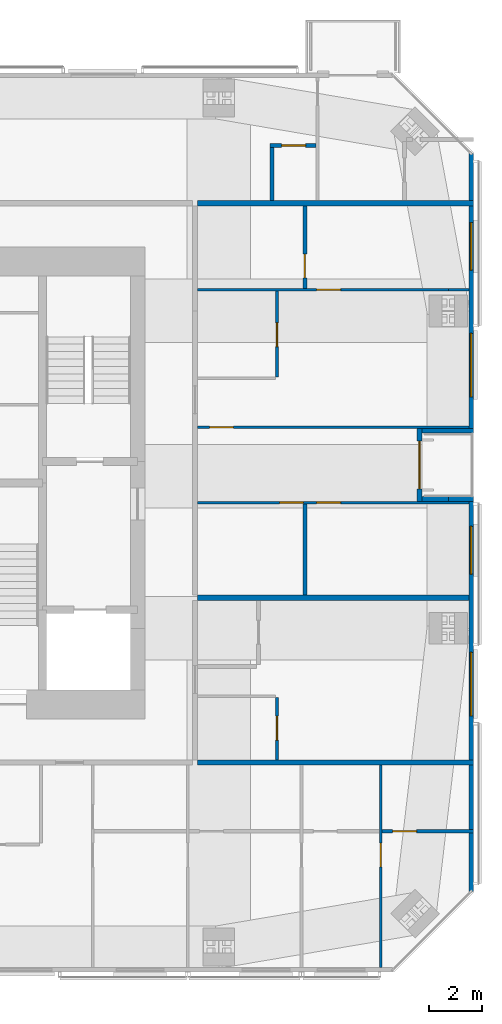
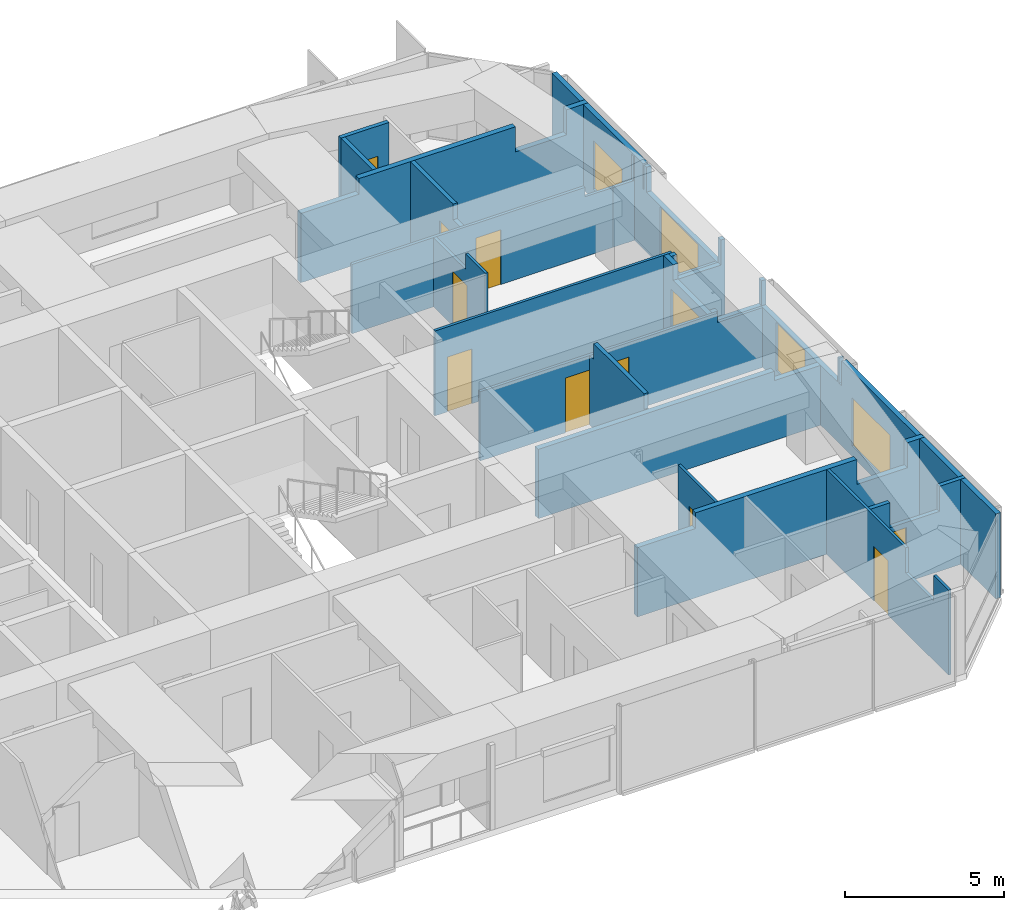
# One storey, part 18 of 20: 21 walls, 11 doors, 4 windows, 15 openings.
"""IFC4 building model written with IfcOpenShell, lengths in metres."""

import ifcopenshell
import ifcopenshell.guid

model = None  # the IFC model being written
_history = None  # IfcOwnerHistory: only IFC2X3 demands one
_inside = {}  # id of a spatial element -> (the spatial element, [elements in it])
_under = {}  # id of a project, library or spatial element -> (it, [spatial elements below it])
_declared = {}  # id of a project -> (the project, [libraries it declares])
_typed = {}  # id of a type object -> (the type object, [elements of that type])
_made_of = {}  # id of a material, layer set ... -> (it, [elements and type objects made of it])


def new_model(schema):
    """Start an empty IFC model of exactly this schema.

    Asked for "IFC4X3", IfcOpenShell would pick the latest addendum, in which some entities
    have other attributes; the version numbers below select the first issue.
    IFC2X3 requires an IfcOwnerHistory on every rooted entity: one is made here for all.
    """
    global model, _history
    if schema == "IFC4X3":
        model = ifcopenshell.file(schema_version=(4, 3, 0, 0))
    else:
        model = ifcopenshell.file(schema=schema)
    _inside.clear()
    _under.clear()
    _declared.clear()
    _typed.clear()
    _made_of.clear()
    _history = None
    if model.schema == "IFC2X3":
        org = make("IfcOrganization", Name="unknown")
        user = make(
            "IfcPersonAndOrganization",
            ThePerson=make("IfcPerson", FamilyName="unknown"),
            TheOrganization=org,
        )
        app = make(
            "IfcApplication",
            ApplicationDeveloper=org,
            Version="unknown",
            ApplicationFullName="unknown",
            ApplicationIdentifier="unknown",
        )
        _history = make(
            "IfcOwnerHistory",
            OwningUser=user,
            OwningApplication=app,
            ChangeAction="ADDED",
            CreationDate=0,
        )
    return model


def make(cls, **values):
    """One entity of the class cls with the attributes given. An attribute that is None is left unset."""
    return model.create_entity(
        cls, **{name: value for name, value in values.items() if value is not None}
    )


def rooted(cls, **values):
    """An entity with a GlobalId (a new one), such as an element, a storey or a relation."""
    return make(cls, GlobalId=ifcopenshell.guid.new(), OwnerHistory=_history, **values)


def si_unit(unit_type, name, prefix=None):
    """IfcSIUnit, for example si_unit("LENGTHUNIT", "METRE", prefix="MILLI")."""
    return make("IfcSIUnit", UnitType=unit_type, Prefix=prefix, Name=name)


def assignment(units):
    """IfcUnitAssignment: the units of a project."""
    return None if units is None else make("IfcUnitAssignment", Units=units)


def point(xyz):
    """IfcCartesianPoint."""
    return None if xyz is None else make("IfcCartesianPoint", Coordinates=xyz)


def direction(xyz):
    """IfcDirection."""
    return None if xyz is None else make("IfcDirection", DirectionRatios=xyz)


def frame(location, z_axis=None, x_axis=None):
    """IfcAxis2Placement3D, a coordinate frame: its origin and axes. An axis left out is left unset."""
    return make(
        "IfcAxis2Placement3D",
        Location=point(location),
        Axis=direction(z_axis),
        RefDirection=direction(x_axis),
    )


def frame_2d(location, x_axis=None):
    """IfcAxis2Placement2D, a coordinate frame in the plane: its origin and x axis."""
    return make(
        "IfcAxis2Placement2D", Location=point(location), RefDirection=direction(x_axis)
    )


def origin():
    """The frame at (0, 0, 0) with its axes left unset."""
    return frame((0.0, 0.0, 0.0))


def place(relative_to, where):
    """IfcLocalPlacement: puts the frame where relative to a parent placement (None: the world)."""
    return make(
        "IfcLocalPlacement", PlacementRelTo=relative_to, RelativePlacement=where
    )


def context(
    kind, dimensions, precision=None, world=None, true_north=None, identifier=None
):
    """IfcGeometricRepresentationContext, for example the 3D "Model" context."""
    return make(
        "IfcGeometricRepresentationContext",
        ContextIdentifier=identifier,
        ContextType=kind,
        CoordinateSpaceDimension=dimensions,
        Precision=precision,
        WorldCoordinateSystem=world,
        TrueNorth=true_north,
    )


def subcontext(parent, identifier, kind, view, scale=None):
    """IfcGeometricRepresentationSubContext, for example "Body" below "Model"."""
    return make(
        "IfcGeometricRepresentationSubContext",
        ContextIdentifier=identifier,
        ContextType=kind,
        ParentContext=parent,
        TargetScale=scale,
        TargetView=view,
    )


def project(units=None, contexts=None):
    """IfcProject with its units and contexts."""
    return rooted(
        "IfcProject",
        Name="project",
        RepresentationContexts=contexts,
        UnitsInContext=assignment(units),
    )


def spatial(cls, under=None, at=None, **own):
    """A site, building, storey or space (cls), placed at a placement, below another one or the project."""
    s = rooted(cls, ObjectPlacement=at, **own)
    if under is not None:
        _under.setdefault(under.id(), (under, []))[1].append(s)
    return s


def polyline(points):
    """IfcPolyline through the points."""
    return make("IfcPolyline", Points=[point(p) for p in points])


def profile(cls, at=None, kind="AREA", **sizes):
    """A parametric profile (cls). Its sizes go by their IFC names, for example OverallWidth=200.0."""
    return make(cls, ProfileType=kind, Position=at, **sizes)


def rectangle(**sizes):
    """IfcRectangleProfileDef."""
    return profile("IfcRectangleProfileDef", **sizes)


def outline(outer, holes=None, kind="AREA"):
    """IfcArbitraryClosedProfileDef: a profile drawn as a closed curve; with holes, ...WithVoids."""
    if holes is None:
        return make("IfcArbitraryClosedProfileDef", ProfileType=kind, OuterCurve=outer)
    return make(
        "IfcArbitraryProfileDefWithVoids",
        ProfileType=kind,
        OuterCurve=outer,
        InnerCurves=holes,
    )


def extrude(swept, where, along, depth):
    """IfcExtrudedAreaSolid: the profile swept, set in the frame where, extruded along a direction by depth."""
    return make(
        "IfcExtrudedAreaSolid",
        SweptArea=swept,
        Position=where,
        ExtrudedDirection=direction(along),
        Depth=depth,
    )


def shape(context_of_items, identifier, shape_type, items):
    """IfcShapeRepresentation: the items that make up one representation, for example the "Body"."""
    return make(
        "IfcShapeRepresentation",
        ContextOfItems=context_of_items,
        RepresentationIdentifier=identifier,
        RepresentationType=shape_type,
        Items=items,
    )


def material(Name=None, Category=None):
    """IfcMaterial."""
    return make("IfcMaterial", Name=Name, Category=Category)


def constituent(of_material, Name=None, Category=None, fraction=None):
    """IfcMaterialConstituent: one of the materials an element consists of."""
    return make(
        "IfcMaterialConstituent",
        Name=Name,
        Material=of_material,
        Fraction=fraction,
        Category=Category,
    )


def constituent_set(constituents=None, Name=None):
    """IfcMaterialConstituentSet."""
    return make(
        "IfcMaterialConstituentSet", Name=Name, MaterialConstituents=constituents
    )


def made_of(thing, what):
    """Note that an element or type object is made of a material, layer set ...; save() writes the relation."""
    if what is not None:
        _made_of.setdefault(what.id(), (what, []))[1].append(thing)
    return thing


def type_object(cls, material=None, **own):
    """A type object (cls), such as IfcWallType, which elements share."""
    return made_of(rooted(cls, **own), material)


def element(
    cls,
    number,
    at=None,
    inside=None,
    cuts=None,
    type_object=None,
    material=None,
    context=None,
    identifier="Body",
    shape_type=None,
    held_by="IfcProductDefinitionShape",
    body=None,
    shapes=None,
    **own,
):
    """One element of the class cls, such as IfcWall. Its Tag is "e" and its number.

    at: its placement. inside: the storey or other place that contains it. cuts: it is an
    opening in that element (IfcRelVoidsElement). A single representation is given by context,
    identifier, shape_type and body (its items); several are given by shapes. held_by: the class
    of the entity that holds the representations. save() writes the other relations.
    """
    e = rooted(cls, Tag="e%d" % number, ObjectPlacement=at, **own)
    if body is not None:
        shapes = [shape(context, identifier, shape_type, body)]
    if shapes is not None:
        e.Representation = make(held_by, Representations=shapes)
    if inside is not None:
        _inside.setdefault(inside.id(), (inside, []))[1].append(e)
    if cuts is not None:
        rooted(
            "IfcRelVoidsElement", RelatingBuildingElement=cuts, RelatedOpeningElement=e
        )
    if type_object is not None:
        _typed.setdefault(type_object.id(), (type_object, []))[1].append(e)
    return made_of(e, material)


def fill(opening, filler):
    """IfcRelFillsElement: the door or window that sits in an opening."""
    return rooted(
        "IfcRelFillsElement",
        RelatingOpeningElement=opening,
        RelatedBuildingElement=filler,
    )


def aggregate(whole, parts):
    """IfcRelAggregates: a whole, such as a stair, and the parts it consists of."""
    return rooted("IfcRelAggregates", RelatingObject=whole, RelatedObjects=parts)


def save(model, path):
    """Write the relations noted so far, then the file.

    IfcRelAggregates (storeys below a building ...), IfcRelContainedInSpatialStructure (elements
    in a storey), IfcRelDefinesByType, IfcRelAssociatesMaterial and IfcRelDeclares: one each for
    every whole, place, type object, material and project.
    """
    for whole, parts in _under.values():
        aggregate(whole, parts)
    for where, things in _inside.values():
        rooted(
            "IfcRelContainedInSpatialStructure",
            RelatedElements=things,
            RelatingStructure=where,
        )
    for kind, things in _typed.values():
        rooted("IfcRelDefinesByType", RelatedObjects=things, RelatingType=kind)
    for what, things in _made_of.values():
        rooted("IfcRelAssociatesMaterial", RelatedObjects=things, RelatingMaterial=what)
    for by, libraries in _declared.values():
        rooted("IfcRelDeclares", RelatingContext=by, RelatedDefinitions=libraries)
    model.write(path)


model = new_model("IFC4")

# Units and contexts
model_context = context("Model", 3, precision=1e-05, world=origin(), true_north=direction((0.0, 1.0)))
body_context = subcontext(model_context, "Body", "Model", "MODEL_VIEW")
ifc_project = project(units=[si_unit("LENGTHUNIT", "METRE"), si_unit("AREAUNIT", "SQUARE_METRE"), si_unit("VOLUMEUNIT", "CUBIC_METRE"), si_unit("PLANEANGLEUNIT", "RADIAN"), si_unit("MASSUNIT", "GRAM", prefix="KILO")], contexts=[model_context])

# Site, building, storey
site_placement = place(None, origin())
site = spatial("IfcSite", under=ifc_project, at=site_placement, CompositionType="ELEMENT")
building_placement = place(site_placement, origin())
building = spatial("IfcBuilding", under=site, at=building_placement, Name="Jalousie Tower", CompositionType="ELEMENT")
storey_placement = place(building_placement, frame((0.0, 0.0, 245.949951171875)))
storey = spatial("IfcBuildingStorey", under=building, at=storey_placement, Name="L67", CompositionType="ELEMENT", Elevation=245.949951171875)

# Wall, opening, door
ifc_material_1 = material(Name="Concrete block ASTM C90", Category="concrete")
ifc_constituent_1 = constituent(ifc_material_1, Name="Body")
ifc_material_2 = material(Name="Render")
ifc_constituent_2 = constituent(ifc_material_2, Name="Finish")
ifc_constituent_set_1 = constituent_set(constituents=[ifc_constituent_1, ifc_constituent_2])
wall_type_1 = type_object("IfcWallType", Name="BATHROOM WALL 150", PredefinedType="PLUMBINGWALL", material=ifc_constituent_set_1)
wall_1_placement = place(storey_placement, frame((53.050048828125, 5.324951171875, 0.0), z_axis=(0.0, 0.0, 1.0), x_axis=(1.0, 0.0, 0.0)))
wall_1 = element("IfcWall", 1, at=wall_1_placement, inside=storey, type_object=wall_type_1, Name="Bathroom Wall 150 L67", PredefinedType="PLUMBINGWALL", context=body_context, shape_type="SweptSolid", body=[
    extrude(outline(polyline([(0.0, 0.0), (3.449951171875, 0.0), (3.449951171875, 3.260009765625), (2.4970703125, 3.260009765625), (2.4970703125, 2.300048828125), (0.715087890625, 2.300048828125), (0.715087890625, 3.260009765625), (0.0, 3.260009765625), (0.0, 0.0)])), frame((0.0, 0.074951171875, 0.0), z_axis=(0.0, -1.0, 0.0), x_axis=(1.0, 0.0, 0.0)), (0.0, 0.0, 1.0), 0.14990234375),
])
opening_1_placement = place(wall_1_placement, frame((0.39990234375, 0.0, 0.0)))
opening_1 = element("IfcOpeningElement", 2, at=opening_1_placement, cuts=wall_1, Name="Opening D3", PredefinedType="OPENING", context=body_context, shape_type="SweptSolid", body=[
    extrude(rectangle(XDim=0.89990234375, YDim=2.10009765625, at=frame_2d((0.449951171875, 1.050048828125))), frame((0.0, 0.0849609375, 0.0), z_axis=(0.0, -1.0, 0.0), x_axis=(1.0, 0.0, 0.0)), (0.0, 0.0, 1.0), 0.169921875),
])
ifc_material_3 = material(Name="Timber door", Category="wood")
door_type_1 = type_object("IfcDoorType", Name="BATHROOM DOOR 900", OperationType="SINGLE_SWING_LEFT", PredefinedType="DOOR", material=ifc_material_3)
door_1_placement = place(opening_1_placement, origin())
door_1 = element("IfcDoor", 3, at=door_1_placement, inside=storey, type_object=door_type_1, Name="Apartment 6703 bedroom 4 bathroom door", OperationType="SINGLE_SWING_LEFT", OverallHeight=2.10009765625, OverallWidth=0.89990234375, PredefinedType="DOOR", context=body_context, shape_type="SweptSolid", body=[
    extrude(rectangle(XDim=0.89990234375, YDim=2.10009765625, at=frame_2d((0.449951171875, 1.050048828125))), frame((0.0, 0.02490234375, 0.0), z_axis=(0.0, -1.0, 0.0), x_axis=(1.0, 0.0, 0.0)), (0.0, 0.0, 1.0), 0.050048828125),
])
fill(opening_1, door_1)

# Wall
wall_2_placement = place(storey_placement, frame((50.125, 14.25, 0.0), z_axis=(0.0, 0.0, 1.0), x_axis=(0.0, 1.0, 0.0)))
element("IfcWall", 4, at=wall_2_placement, inside=storey, type_object=wall_type_1, Name="Bathroom Wall 150 L67", PredefinedType="PLUMBINGWALL", context=body_context, shape_type="SweptSolid", body=[
    extrude(outline(polyline([(0.0, 0.0), (3.449951171875, 0.0), (3.449951171875, 3.260009765625), (3.449951171875, 2.66015625), (3.215087890625, 2.66015625), (3.215087890625, 3.260009765625), (0.034912109375, 3.260009765625), (0.034912109375, 2.66015625), (0.0, 2.66015625), (0.0, 3.260009765625), (0.0, 0.0)])), frame((0.0, 0.074951171875, 0.0), z_axis=(0.0, -1.0, 0.0), x_axis=(1.0, 0.0, 0.0)), (0.0, 0.0, 1.0), 0.14990234375),
])

# Wall, opening, door
wall_3_placement = place(storey_placement, frame((50.125, 25.85009765625, 0.0), z_axis=(0.0, 0.0, 1.0), x_axis=(0.0, 1.0, 0.0)))
wall_3 = element("IfcWall", 5, at=wall_3_placement, inside=storey, type_object=wall_type_1, Name="Bathroom Wall 150 L67", PredefinedType="PLUMBINGWALL", context=body_context, shape_type="SweptSolid", body=[
    extrude(outline(polyline([(0.0, 0.0), (3.125, 0.0), (3.125, 3.260009765625), (0.43505859375, 3.260009765625), (0.43505859375, 2.66015625), (0.0, 2.66015625), (0.0, 3.260009765625), (0.0, 0.0)])), frame((0.0, 0.074951171875, 0.0), z_axis=(0.0, -1.0, 0.0), x_axis=(1.0, 0.0, 0.0)), (0.0, 0.0, 1.0), 0.14990234375),
])
opening_2_placement = place(wall_3_placement, frame((0.39990234375, 0.0, 0.0)))
opening_2 = element("IfcOpeningElement", 6, at=opening_2_placement, cuts=wall_3, Name="Opening D3", PredefinedType="OPENING", context=body_context, shape_type="SweptSolid", body=[
    extrude(rectangle(XDim=0.89990234375, YDim=2.10009765625, at=frame_2d((0.449951171875, 1.050048828125))), frame((0.0, 0.0849609375, 0.0), z_axis=(0.0, -1.0, 0.0), x_axis=(1.0, 0.0, 0.0)), (0.0, 0.0, 1.0), 0.169921875),
])
door_2_placement = place(opening_2_placement, origin())
door_2 = element("IfcDoor", 7, at=door_2_placement, inside=storey, type_object=door_type_1, Name="Apartment 6706 bedroom 2 bathroom door", OperationType="SINGLE_SWING_LEFT", OverallHeight=2.10009765625, OverallWidth=0.89990234375, PredefinedType="DOOR", context=body_context, shape_type="SweptSolid", body=[
    extrude(rectangle(XDim=0.89990234375, YDim=2.10009765625, at=frame_2d((0.449951171875, 1.050048828125))), frame((0.0, 0.02490234375, 0.0), z_axis=(0.0, -1.0, 0.0), x_axis=(1.0, 0.0, 0.0)), (0.0, 0.0, 1.0), 0.050048828125),
])
fill(opening_2, door_2)

wall_4_placement = place(storey_placement, frame((50.552490234375, 31.25, 0.0), z_axis=(0.0, 0.0, 1.0), x_axis=(-1.0, 0.0, 0.0)))
wall_4 = element("IfcWall", 8, at=wall_4_placement, inside=storey, type_object=wall_type_1, Name="Bathroom Wall 150 L67", PredefinedType="PLUMBINGWALL", context=body_context, shape_type="SweptSolid", body=[
    extrude(rectangle(XDim=1.75, YDim=0.14990234375, at=frame_2d((0.875, 0.0))), origin(), (0.0, 0.0, 1.0), 3.260009765625),
])
opening_3_placement = place(wall_4_placement, frame((0.39990234375, 0.0, 0.0)))
opening_3 = element("IfcOpeningElement", 9, at=opening_3_placement, cuts=wall_4, Name="Opening D7", PredefinedType="OPENING", context=body_context, shape_type="SweptSolid", body=[
    extrude(rectangle(XDim=0.89990234375, YDim=2.10009765625, at=frame_2d((0.449951171875, 1.050048828125))), frame((0.0, 0.0849609375, 0.0), z_axis=(0.0, -1.0, 0.0), x_axis=(1.0, 0.0, 0.0)), (0.0, 0.0, 1.0), 0.169921875),
])
ifc_material_4 = material(Name="Timber door", Category="wood")
door_type_2 = type_object("IfcDoorType", Name="INTERNAL DOOR 900", OperationType="SINGLE_SWING_LEFT", PredefinedType="DOOR", material=ifc_material_4)
door_3_placement = place(opening_3_placement, origin())
door_3 = element("IfcDoor", 10, at=door_3_placement, inside=storey, type_object=door_type_2, Name="Apartment 6704 guest WC door", OperationType="SINGLE_SWING_RIGHT", OverallHeight=2.10009765625, OverallWidth=0.89990234375, PredefinedType="DOOR", context=body_context, shape_type="SweptSolid", body=[
    extrude(rectangle(XDim=0.89990234375, YDim=2.10009765625, at=frame_2d((0.449951171875, 1.050048828125))), frame((0.0, 0.02490234375, 0.0), z_axis=(0.0, -1.0, 0.0), x_axis=(1.0, 0.0, 0.0)), (0.0, 0.0, 1.0), 0.050048828125),
])
fill(opening_3, door_3)

# Wall
wall_5_placement = place(storey_placement, frame((48.87744140625, 29.175048828125, 0.0), z_axis=(0.0, 0.0, 1.0), x_axis=(0.0, 1.0, 0.0)))
element("IfcWall", 11, at=wall_5_placement, inside=storey, type_object=wall_type_1, Name="Bathroom Wall 150 L67", PredefinedType="PLUMBINGWALL", context=body_context, shape_type="SweptSolid", body=[
    extrude(rectangle(XDim=2.0, YDim=0.14990234375, at=frame_2d((1.0, 0.0))), origin(), (0.0, 0.0, 1.0), 3.260009765625),
])

# Wall, openings, windows
ifc_material_5 = material(Name="Concrete f'c 40 MPa", Category="concrete")
ifc_constituent_3 = constituent(ifc_material_5, Name="Body")
ifc_material_6 = material(Name="Render, pastel sky blue")
ifc_constituent_4 = constituent(ifc_material_6, Name="Finish")
ifc_constituent_set_2 = constituent_set(constituents=[ifc_constituent_3, ifc_constituent_4])
wall_type_2 = type_object("IfcWallType", Name="EXTERNAL WALL 175 SKY BLUE RENDER", PredefinedType="SOLIDWALL", material=ifc_constituent_set_2)
wall_6_placement = place(storey_placement, frame((56.41259765625, 3.05126953125, 0.0), z_axis=(0.0, 0.0, 1.0), x_axis=(0.0, 1.0, 0.0)))
wall_6 = element("IfcWall", 12, at=wall_6_placement, inside=storey, type_object=wall_type_2, Name="External Wall 175 Sky Blue Render L67", PredefinedType="SOLIDWALL", context=body_context, shape_type="SweptSolid", body=[
    extrude(outline(polyline([(0.0, 0.0), (14.748779296875, 0.0), (14.748779296875, 2.300048828125), (9.94873046875, 2.300048828125), (9.94873046875, 3.260009765625), (9.8583984375, 3.260009765625), (9.8583984375, 2.300048828125), (9.6875, 2.300048828125), (9.6875, 3.260009765625), (0.0, 3.260009765625), (0.0, 0.0)])), frame((0.0, 0.08740234375, 0.0), z_axis=(0.0, -1.0, 0.0), x_axis=(1.0, 0.0, 0.0)), (0.0, 0.0, 1.0), 0.175048828125),
])
opening_4_placement = place(wall_6_placement, frame((6.639892578125, 0.0, 0.39990234375)))
opening_4 = element("IfcOpeningElement", 13, at=opening_4_placement, cuts=wall_6, Name="Opening W-LIV185", PredefinedType="OPENING", context=body_context, shape_type="SweptSolid", body=[
    extrude(rectangle(XDim=2.39990234375, YDim=1.85009765625, at=frame_2d((1.199951171875, 0.925048828125))), frame((0.0, 0.097412109375, 0.0), z_axis=(0.0, -1.0, 0.0), x_axis=(1.0, 0.0, 0.0)), (0.0, 0.0, 1.0), 0.195068359375),
])
opening_5_placement = place(wall_6_placement, frame((11.998779296875, 0.0, 0.39990234375)))
opening_5 = element("IfcOpeningElement", 14, at=opening_5_placement, cuts=wall_6, Name="Opening W-BED185", PredefinedType="OPENING", context=body_context, shape_type="SweptSolid", body=[
    extrude(rectangle(XDim=1.800048828125, YDim=1.85009765625, at=frame_2d((0.89990234375, 0.925048828125))), frame((0.0, 0.097412109375, 0.0), z_axis=(0.0, -1.0, 0.0), x_axis=(1.0, 0.0, 0.0)), (0.0, 0.0, 1.0), 0.195068359375),
])
ifc_material_7 = material(Name="Aluminium frame, impact-rated glazing", Category="aluminium")
window_type_1 = type_object("IfcWindowType", Name="WINDOW BED 1800x1850", PartitioningType="SINGLE_PANEL", PredefinedType="WINDOW", material=ifc_material_7)
window_1_placement = place(opening_5_placement, origin())
window_1 = element("IfcWindow", 15, at=window_1_placement, inside=storey, type_object=window_type_1, Name="Apartment 6706 bedroom 1 window", OverallHeight=1.85009765625, OverallWidth=1.800048828125, PartitioningType="SINGLE_PANEL", PredefinedType="WINDOW", context=body_context, shape_type="SweptSolid", body=[
    extrude(rectangle(XDim=1.800048828125, YDim=1.85009765625, at=frame_2d((0.89990234375, 0.925048828125))), frame((0.0, 0.030029296875, 0.0), z_axis=(0.0, -1.0, 0.0), x_axis=(1.0, 0.0, 0.0)), (0.0, 0.0, 1.0), 0.06005859375),
])
fill(opening_5, window_1)
ifc_material_8 = material(Name="Aluminium frame, impact-rated glazing", Category="aluminium")
window_type_2 = type_object("IfcWindowType", Name="WINDOW LIV 2400x1850", PartitioningType="DOUBLE_PANEL_VERTICAL", PredefinedType="WINDOW", material=ifc_material_8)
window_2_placement = place(opening_4_placement, origin())
window_2 = element("IfcWindow", 16, at=window_2_placement, inside=storey, type_object=window_type_2, Name="Apartment 6705 studio living and sleeping room window", OverallHeight=1.85009765625, OverallWidth=2.39990234375, PartitioningType="SINGLE_PANEL", PredefinedType="WINDOW", context=body_context, shape_type="SweptSolid", body=[
    extrude(rectangle(XDim=2.39990234375, YDim=1.85009765625, at=frame_2d((1.199951171875, 0.925048828125))), frame((0.0, 0.030029296875, 0.0), z_axis=(0.0, -1.0, 0.0), x_axis=(1.0, 0.0, 0.0)), (0.0, 0.0, 1.0), 0.06005859375),
])
fill(opening_4, window_2)

wall_7_placement = place(storey_placement, frame((56.41259765625, 20.550048828125, 0.0), z_axis=(0.0, 0.0, 1.0), x_axis=(0.0, 1.0, 0.0)))
wall_7 = element("IfcWall", 17, at=wall_7_placement, inside=storey, type_object=wall_type_2, Name="External Wall 175 Sky Blue Render L67", PredefinedType="SOLIDWALL", context=body_context, shape_type="SweptSolid", body=[
    extrude(outline(polyline([(0.0, 0.0), (10.398681640625, 0.0), (10.398681640625, 3.260009765625), (4.658447265625, 3.260009765625), (4.658447265625, 2.300048828125), (4.593505859375, 2.300048828125), (4.593505859375, 3.260009765625), (4.449951171875, 3.260009765625), (4.449951171875, 2.300048828125), (0.0, 2.300048828125), (0.0, 0.0)])), frame((0.0, 0.08740234375, 0.0), z_axis=(0.0, -1.0, 0.0), x_axis=(1.0, 0.0, 0.0)), (0.0, 0.0, 1.0), 0.175048828125),
])
opening_6_placement = place(wall_7_placement, frame((1.199951171875, 0.0, 0.39990234375)))
opening_6 = element("IfcOpeningElement", 18, at=opening_6_placement, cuts=wall_7, Name="Opening W-LIV185", PredefinedType="OPENING", context=body_context, shape_type="SweptSolid", body=[
    extrude(rectangle(XDim=2.39990234375, YDim=1.85009765625, at=frame_2d((1.199951171875, 0.925048828125))), frame((0.0, 0.097412109375, 0.0), z_axis=(0.0, -1.0, 0.0), x_axis=(1.0, 0.0, 0.0)), (0.0, 0.0, 1.0), 0.195068359375),
])
opening_7_placement = place(wall_7_placement, frame((5.987548828125, 0.0, 0.39990234375)))
opening_7 = element("IfcOpeningElement", 19, at=opening_7_placement, cuts=wall_7, Name="Opening W-BED185", PredefinedType="OPENING", context=body_context, shape_type="SweptSolid", body=[
    extrude(rectangle(XDim=1.800048828125, YDim=1.85009765625, at=frame_2d((0.89990234375, 0.925048828125))), frame((0.0, 0.097412109375, 0.0), z_axis=(0.0, -1.0, 0.0), x_axis=(1.0, 0.0, 0.0)), (0.0, 0.0, 1.0), 0.195068359375),
])
window_3_placement = place(opening_7_placement, origin())
window_3 = element("IfcWindow", 20, at=window_3_placement, inside=storey, type_object=window_type_1, Name="Apartment 6706 bedroom 2 window", OverallHeight=1.85009765625, OverallWidth=1.800048828125, PartitioningType="SINGLE_PANEL", PredefinedType="WINDOW", context=body_context, shape_type="SweptSolid", body=[
    extrude(rectangle(XDim=1.800048828125, YDim=1.85009765625, at=frame_2d((0.89990234375, 0.925048828125))), frame((0.0, 0.030029296875, 0.0), z_axis=(0.0, -1.0, 0.0), x_axis=(1.0, 0.0, 0.0)), (0.0, 0.0, 1.0), 0.06005859375),
])
fill(opening_7, window_3)
window_4_placement = place(opening_6_placement, origin())
window_4 = element("IfcWindow", 21, at=window_4_placement, inside=storey, type_object=window_type_2, Name="Apartment 6706 living and dining room window", OverallHeight=1.85009765625, OverallWidth=2.39990234375, PartitioningType="SINGLE_PANEL", PredefinedType="WINDOW", context=body_context, shape_type="SweptSolid", body=[
    extrude(rectangle(XDim=2.39990234375, YDim=1.85009765625, at=frame_2d((1.199951171875, 0.925048828125))), frame((0.0, 0.030029296875, 0.0), z_axis=(0.0, -1.0, 0.0), x_axis=(1.0, 0.0, 0.0)), (0.0, 0.0, 1.0), 0.06005859375),
])
fill(opening_6, window_4)

# Wall, opening, door
wall_8_placement = place(storey_placement, frame((54.46240234375, 17.800048828125, 0.0), z_axis=(0.0, 0.0, 1.0), x_axis=(0.0, 1.0, 0.0)))
wall_8 = element("IfcWall", 22, at=wall_8_placement, inside=storey, type_object=wall_type_2, Name="External Wall 175 Sky Blue Render L67", PredefinedType="SOLIDWALL", context=body_context, shape_type="SweptSolid", body=[
    extrude(outline(polyline([(0.0, 0.0), (2.75, 0.0), (2.75, 3.260009765625), (2.14990234375, 3.260009765625), (2.14990234375, 2.66015625), (0.0, 2.66015625), (0.0, 0.0)])), frame((0.0, 0.08740234375, 0.0), z_axis=(0.0, -1.0, 0.0), x_axis=(1.0, 0.0, 0.0)), (0.0, 0.0, 1.0), 0.175048828125),
])
opening_8_placement = place(wall_8_placement, frame((0.47509765625, 0.0, 0.0)))
opening_8 = element("IfcOpeningElement", 23, at=opening_8_placement, cuts=wall_8, Name="Opening D-BAL22", PredefinedType="OPENING", context=body_context, shape_type="SweptSolid", body=[
    extrude(rectangle(XDim=1.800048828125, YDim=2.25, at=frame_2d((0.89990234375, 1.125))), frame((0.0, 0.097412109375, 0.0), z_axis=(0.0, -1.0, 0.0), x_axis=(1.0, 0.0, 0.0)), (0.0, 0.0, 1.0), 0.195068359375),
])
ifc_material_9 = material(Name="Aluminium frame, impact-rated glazing", Category="aluminium")
door_type_3 = type_object("IfcDoorType", Name="BALCONY DOOR 1800x2250", OperationType="SLIDING_TO_LEFT", PredefinedType="DOOR", material=ifc_material_9)
door_4_placement = place(opening_8_placement, origin())
door_4 = element("IfcDoor", 24, at=door_4_placement, inside=storey, type_object=door_type_3, Name="Apartment 6706 study loggia door", OperationType="SLIDING_TO_LEFT", OverallHeight=2.25, OverallWidth=1.800048828125, PredefinedType="DOOR", context=body_context, shape_type="SweptSolid", body=[
    extrude(rectangle(XDim=1.800048828125, YDim=2.25, at=frame_2d((0.89990234375, 1.125))), frame((0.0, 0.02490234375, 0.0), z_axis=(0.0, -1.0, 0.0), x_axis=(1.0, 0.0, 0.0)), (0.0, 0.0, 1.0), 0.050048828125),
])
fill(opening_8, door_4)

# Walls
wall_9_placement = place(storey_placement, frame((56.5, 17.887451171875, 0.0), z_axis=(0.0, 0.0, 1.0), x_axis=(-1.0, 0.0, 0.0)))
element("IfcWall", 25, at=wall_9_placement, inside=storey, type_object=wall_type_2, Name="External Wall 175 Sky Blue Render L67-A", PredefinedType="SOLIDWALL", context=body_context, shape_type="SweptSolid", body=[
    extrude(outline(polyline([(0.0, 0.0), (0.949951171875, 0.0), (0.949951171875, 2.300048828125), (0.14990234375, 2.300048828125), (0.14990234375, 3.260009765625), (0.0, 3.260009765625), (0.0, 0.0)])), frame((0.0, 0.08740234375, 0.0), z_axis=(0.0, -1.0, 0.0), x_axis=(1.0, 0.0, 0.0)), (0.0, 0.0, 1.0), 0.175048828125),
])
wall_10_placement = place(storey_placement, frame((55.550048828125, 17.887451171875, 0.0), z_axis=(0.0, 0.0, 1.0), x_axis=(-1.0, 0.0, 0.0)))
element("IfcWall", 26, at=wall_10_placement, inside=storey, type_object=wall_type_2, Name="External Wall 175 Sky Blue Render L67-B", PredefinedType="SOLIDWALL", context=body_context, shape_type="SweptSolid", body=[
    extrude(outline(polyline([(0.0, 0.0), (1.0, 0.0), (1.0, 2.66015625), (0.800048828125, 2.66015625), (0.800048828125, 2.300048828125), (0.0, 2.300048828125), (0.0, 0.0)])), frame((0.0, 0.08740234375, 0.0), z_axis=(0.0, -1.0, 0.0), x_axis=(1.0, 0.0, 0.0)), (0.0, 0.0, 1.0), 0.175048828125),
])
wall_11_placement = place(storey_placement, frame((56.5, 20.46240234375, 0.0), z_axis=(0.0, 0.0, 1.0), x_axis=(-1.0, 0.0, 0.0)))
element("IfcWall", 27, at=wall_11_placement, inside=storey, type_object=wall_type_2, Name="External Wall 175 Sky Blue Render L67", PredefinedType="SOLIDWALL", context=body_context, shape_type="SweptSolid", body=[
    extrude(outline(polyline([(0.0, 0.0), (1.949951171875, 0.0), (1.949951171875, 3.260009765625), (1.75, 3.260009765625), (1.75, 2.300048828125), (0.14990234375, 2.300048828125), (0.14990234375, 3.260009765625), (0.0, 3.260009765625), (0.0, 0.0)])), frame((0.0, 0.08740234375, 0.0), z_axis=(0.0, -1.0, 0.0), x_axis=(1.0, 0.0, 0.0)), (0.0, 0.0, 1.0), 0.175048828125),
])

# Wall, opening, door
ifc_material_10 = material(Name="Gypsum board", Category="gypsum")
ifc_constituent_5 = constituent(ifc_material_10, Name="Body")
ifc_material_11 = material(Name="Light-gauge steel studs ASTM A653 SS Grade 33", Category="steel")
ifc_constituent_6 = constituent(ifc_material_11, Name="Framing")
ifc_constituent_set_3 = constituent_set(constituents=[ifc_constituent_5, ifc_constituent_6])
wall_type_3 = type_object("IfcWallType", Name="PARTITION 100", PredefinedType="PARTITIONING", material=ifc_constituent_set_3)
wall_12_placement = place(storey_placement, frame((53.0, 0.175048828125, 0.0), z_axis=(0.0, 0.0, 1.0), x_axis=(0.0, 1.0, 0.0)))
wall_12 = element("IfcWall", 28, at=wall_12_placement, inside=storey, type_object=wall_type_3, Name="Partition 100 L67", PredefinedType="PARTITIONING", context=body_context, shape_type="SweptSolid", body=[
    extrude(outline(polyline([(0.0, 0.0), (7.64990234375, 0.0), (7.64990234375, 3.260009765625), (2.685302734375, 3.260009765625), (2.685302734375, 2.300048828125), (0.940673828125, 2.300048828125), (0.940673828125, 3.260009765625), (0.0, 3.260009765625), (0.0, 0.0)])), frame((0.0, 0.050048828125, 0.0), z_axis=(0.0, -1.0, 0.0), x_axis=(1.0, 0.0, 0.0)), (0.0, 0.0, 1.0), 0.10009765625),
])
opening_9_placement = place(wall_12_placement, frame((3.800048828125, 0.0, 0.0)))
opening_9 = element("IfcOpeningElement", 29, at=opening_9_placement, cuts=wall_12, Name="Opening D2", PredefinedType="OPENING", context=body_context, shape_type="SweptSolid", body=[
    extrude(rectangle(XDim=0.89990234375, YDim=2.10009765625, at=frame_2d((0.449951171875, 1.050048828125))), frame((0.0, 0.06005859375, 0.0), z_axis=(0.0, -1.0, 0.0), x_axis=(1.0, 0.0, 0.0)), (0.0, 0.0, 1.0), 0.1201171875),
])
ifc_material_12 = material(Name="Timber door", Category="wood")
door_type_4 = type_object("IfcDoorType", Name="BEDROOM DOOR 900", OperationType="SINGLE_SWING_LEFT", PredefinedType="DOOR", material=ifc_material_12)
door_5_placement = place(opening_9_placement, frame((0.89990234375, 0.0, 0.0), z_axis=(0.0, 0.0, 1.0), x_axis=(-1.0, 0.0, 0.0)))
door_5 = element("IfcDoor", 30, at=door_5_placement, inside=storey, type_object=door_type_4, Name="Apartment 6703 bedroom 4 door", OperationType="SINGLE_SWING_LEFT", OverallHeight=2.10009765625, OverallWidth=0.89990234375, PredefinedType="DOOR", context=body_context, shape_type="SweptSolid", body=[
    extrude(rectangle(XDim=0.89990234375, YDim=2.10009765625, at=frame_2d((0.449951171875, 1.050048828125))), frame((0.0, 0.02490234375, 0.0), z_axis=(0.0, -1.0, 0.0), x_axis=(1.0, 0.0, 0.0)), (0.0, 0.0, 1.0), 0.050048828125),
])
fill(opening_9, door_5)

wall_13_placement = place(storey_placement, frame((49.074951171875, 8.02490234375, 0.0), z_axis=(0.0, 0.0, 1.0), x_axis=(0.0, 1.0, 0.0)))
wall_13 = element("IfcWall", 31, at=wall_13_placement, inside=storey, type_object=wall_type_3, Name="Partition 100 L67", PredefinedType="PARTITIONING", context=body_context, shape_type="SweptSolid", body=[
    extrude(rectangle(XDim=2.35009765625, YDim=0.10009765625, at=frame_2d((1.175048828125, 0.0))), origin(), (0.0, 0.0, 1.0), 3.260009765625),
])
opening_10_placement = place(wall_13_placement, frame((0.75, 0.0, 0.0)))
opening_10 = element("IfcOpeningElement", 32, at=opening_10_placement, cuts=wall_13, Name="Opening D7", PredefinedType="OPENING", context=body_context, shape_type="SweptSolid", body=[
    extrude(rectangle(XDim=0.89990234375, YDim=2.10009765625, at=frame_2d((0.449951171875, 1.050048828125))), frame((0.0, 0.06005859375, 0.0), z_axis=(0.0, -1.0, 0.0), x_axis=(1.0, 0.0, 0.0)), (0.0, 0.0, 1.0), 0.1201171875),
])
door_6_placement = place(opening_10_placement, origin())
door_6 = element("IfcDoor", 33, at=door_6_placement, inside=storey, type_object=door_type_2, Name="Apartment 6705 kitchen door", OperationType="SINGLE_SWING_RIGHT", OverallHeight=2.10009765625, OverallWidth=0.89990234375, PredefinedType="DOOR", context=body_context, shape_type="SweptSolid", body=[
    extrude(rectangle(XDim=0.89990234375, YDim=2.10009765625, at=frame_2d((0.449951171875, 1.050048828125))), frame((0.0, 0.02490234375, 0.0), z_axis=(0.0, -1.0, 0.0), x_axis=(1.0, 0.0, 0.0)), (0.0, 0.0, 1.0), 0.050048828125),
])
fill(opening_10, door_6)

# Wall, openings, doors
wall_14_placement = place(storey_placement, frame((56.324951171875, 17.75, 0.0), z_axis=(0.0, 0.0, 1.0), x_axis=(-1.0, 0.0, 0.0)))
wall_14 = element("IfcWall", 34, at=wall_14_placement, inside=storey, type_object=wall_type_3, Name="Partition 100 L67", PredefinedType="PARTITIONING", context=body_context, shape_type="SweptSolid", body=[
    extrude(outline(polyline([(0.0, 0.0), (10.25, 0.0), (10.25, 3.260009765625), (10.25, 2.66015625), (1.635009765625, 2.66015625), (1.635009765625, 2.300048828125), (0.0, 2.300048828125), (0.0, 3.260009765625), (0.0, 0.0)])), frame((0.0, 0.050048828125, 0.0), z_axis=(0.0, -1.0, 0.0), x_axis=(1.0, 0.0, 0.0)), (0.0, 0.0, 1.0), 0.10009765625),
])
opening_11_placement = place(wall_14_placement, frame((4.85009765625, 0.0, 0.0)))
opening_11 = element("IfcOpeningElement", 35, at=opening_11_placement, cuts=wall_14, Name="Opening D2", PredefinedType="OPENING", context=body_context, shape_type="SweptSolid", body=[
    extrude(rectangle(XDim=0.89990234375, YDim=2.10009765625, at=frame_2d((0.449951171875, 1.050048828125))), frame((0.0, 0.06005859375, 0.0), z_axis=(0.0, -1.0, 0.0), x_axis=(1.0, 0.0, 0.0)), (0.0, 0.0, 1.0), 0.1201171875),
])
opening_12_placement = place(wall_14_placement, frame((6.25, 0.0, 0.0)))
opening_12 = element("IfcOpeningElement", 36, at=opening_12_placement, cuts=wall_14, Name="Opening D7", PredefinedType="OPENING", context=body_context, shape_type="SweptSolid", body=[
    extrude(rectangle(XDim=0.89990234375, YDim=2.10009765625, at=frame_2d((0.449951171875, 1.050048828125))), frame((0.0, 0.06005859375, 0.0), z_axis=(0.0, -1.0, 0.0), x_axis=(1.0, 0.0, 0.0)), (0.0, 0.0, 1.0), 0.1201171875),
])
door_7_placement = place(opening_11_placement, origin())
door_7 = element("IfcDoor", 37, at=door_7_placement, inside=storey, type_object=door_type_4, Name="Apartment 6706 bedroom 1 door", OperationType="SINGLE_SWING_RIGHT", OverallHeight=2.10009765625, OverallWidth=0.89990234375, PredefinedType="DOOR", context=body_context, shape_type="SweptSolid", body=[
    extrude(rectangle(XDim=0.89990234375, YDim=2.10009765625, at=frame_2d((0.449951171875, 1.050048828125))), frame((0.0, 0.02490234375, 0.0), z_axis=(0.0, -1.0, 0.0), x_axis=(1.0, 0.0, 0.0)), (0.0, 0.0, 1.0), 0.050048828125),
])
fill(opening_11, door_7)
door_8_placement = place(opening_12_placement, origin())
door_8 = element("IfcDoor", 38, at=door_8_placement, inside=storey, type_object=door_type_2, Name="Apartment 6706 bathroom door", OperationType="SINGLE_SWING_LEFT", OverallHeight=2.10009765625, OverallWidth=0.89990234375, PredefinedType="DOOR", context=body_context, shape_type="SweptSolid", body=[
    extrude(rectangle(XDim=0.89990234375, YDim=2.10009765625, at=frame_2d((0.449951171875, 1.050048828125))), frame((0.0, 0.02490234375, 0.0), z_axis=(0.0, -1.0, 0.0), x_axis=(1.0, 0.0, 0.0)), (0.0, 0.0, 1.0), 0.050048828125),
])
fill(opening_12, door_8)

# Wall
wall_15_placement = place(storey_placement, frame((56.324951171875, 25.800048828125, 0.0), z_axis=(0.0, 0.0, 1.0), x_axis=(-1.0, 0.0, 0.0)))
element("IfcWall", 39, at=wall_15_placement, inside=storey, type_object=wall_type_3, Name="Partition 100 L67-A", PredefinedType="PARTITIONING", context=body_context, shape_type="SweptSolid", body=[
    extrude(outline(polyline([(0.0, 0.0), (0.77490234375, 0.0), (0.77490234375, 2.300048828125), (0.04833984375, 2.300048828125), (0.04833984375, 3.260009765625), (0.0, 3.260009765625), (0.0, 0.0)])), frame((0.0, 0.050048828125, 0.0), z_axis=(0.0, -1.0, 0.0), x_axis=(1.0, 0.0, 0.0)), (0.0, 0.0, 1.0), 0.10009765625),
])

# Wall, opening, door
wall_16_placement = place(storey_placement, frame((55.550048828125, 25.800048828125, 0.0), z_axis=(0.0, 0.0, 1.0), x_axis=(-1.0, 0.0, 0.0)))
wall_16 = element("IfcWall", 40, at=wall_16_placement, inside=storey, type_object=wall_type_3, Name="Partition 100 L67-B", PredefinedType="PARTITIONING", context=body_context, shape_type="SweptSolid", body=[
    extrude(outline(polyline([(0.0, 0.0), (9.47509765625, 0.0), (9.47509765625, 2.66015625), (1.022705078125, 2.66015625), (1.022705078125, 2.300048828125), (0.0, 2.300048828125), (0.0, 0.0)])), frame((0.0, 0.050048828125, 0.0), z_axis=(0.0, -1.0, 0.0), x_axis=(1.0, 0.0, 0.0)), (0.0, 0.0, 1.0), 0.10009765625),
])
opening_13_placement = place(wall_16_placement, frame((4.074951171875, 0.0, 0.0)))
opening_13 = element("IfcOpeningElement", 41, at=opening_13_placement, cuts=wall_16, Name="Opening D2", PredefinedType="OPENING", context=body_context, shape_type="SweptSolid", body=[
    extrude(rectangle(XDim=0.89990234375, YDim=2.10009765625, at=frame_2d((0.449951171875, 1.050048828125))), frame((0.0, 0.06005859375, 0.0), z_axis=(0.0, -1.0, 0.0), x_axis=(1.0, 0.0, 0.0)), (0.0, 0.0, 1.0), 0.1201171875),
])
door_9_placement = place(opening_13_placement, frame((0.89990234375, 0.0, 0.0), z_axis=(0.0, 0.0, 1.0), x_axis=(-1.0, 0.0, 0.0)))
door_9 = element("IfcDoor", 42, at=door_9_placement, inside=storey, type_object=door_type_4, Name="Apartment 6706 bedroom 2 door", OperationType="SINGLE_SWING_LEFT", OverallHeight=2.10009765625, OverallWidth=0.89990234375, PredefinedType="DOOR", context=body_context, shape_type="SweptSolid", body=[
    extrude(rectangle(XDim=0.89990234375, YDim=2.10009765625, at=frame_2d((0.449951171875, 1.050048828125))), frame((0.0, 0.02490234375, 0.0), z_axis=(0.0, -1.0, 0.0), x_axis=(1.0, 0.0, 0.0)), (0.0, 0.0, 1.0), 0.050048828125),
])
fill(opening_13, door_9)

wall_17_placement = place(storey_placement, frame((56.324951171875, 20.60009765625, 0.0), z_axis=(0.0, 0.0, 1.0), x_axis=(-1.0, 0.0, 0.0)))
wall_17 = element("IfcWall", 43, at=wall_17_placement, inside=storey, type_object=wall_type_3, Name="Partition 100 L67", PredefinedType="PARTITIONING", context=body_context, shape_type="SweptSolid", body=[
    extrude(outline(polyline([(0.0, 0.0), (10.25, 0.0), (10.25, 3.260009765625), (1.635009765625, 3.260009765625), (1.635009765625, 2.300048828125), (0.0, 2.300048828125), (0.0, 3.260009765625), (0.0, 0.0)])), frame((0.0, 0.050048828125, 0.0), z_axis=(0.0, -1.0, 0.0), x_axis=(1.0, 0.0, 0.0)), (0.0, 0.0, 1.0), 0.10009765625),
])
opening_14_placement = place(wall_17_placement, frame((8.89990234375, 0.0, 0.0)))
opening_14 = element("IfcOpeningElement", 44, at=opening_14_placement, cuts=wall_17, Name="Opening D2", PredefinedType="OPENING", context=body_context, shape_type="SweptSolid", body=[
    extrude(rectangle(XDim=0.89990234375, YDim=2.10009765625, at=frame_2d((0.449951171875, 1.050048828125))), frame((0.0, 0.06005859375, 0.0), z_axis=(0.0, -1.0, 0.0), x_axis=(1.0, 0.0, 0.0)), (0.0, 0.0, 1.0), 0.1201171875),
])
door_10_placement = place(opening_14_placement, origin())
door_10 = element("IfcDoor", 45, at=door_10_placement, inside=storey, type_object=door_type_4, Name="Apartment 6706 study door", OperationType="SINGLE_SWING_RIGHT", OverallHeight=2.10009765625, OverallWidth=0.89990234375, PredefinedType="DOOR", context=body_context, shape_type="SweptSolid", body=[
    extrude(rectangle(XDim=0.89990234375, YDim=2.10009765625, at=frame_2d((0.449951171875, 1.050048828125))), frame((0.0, 0.02490234375, 0.0), z_axis=(0.0, -1.0, 0.0), x_axis=(1.0, 0.0, 0.0)), (0.0, 0.0, 1.0), 0.050048828125),
])
fill(opening_14, door_10)

wall_18_placement = place(storey_placement, frame((49.074951171875, 22.5, 0.0), z_axis=(0.0, 0.0, 1.0), x_axis=(0.0, 1.0, 0.0)))
wall_18 = element("IfcWall", 46, at=wall_18_placement, inside=storey, type_object=wall_type_3, Name="Partition 100 L67", PredefinedType="PARTITIONING", context=body_context, shape_type="SweptSolid", body=[
    extrude(outline(polyline([(0.0, 0.0), (3.25, 0.0), (3.25, 3.260009765625), (3.25, 2.66015625), (1.239990234375, 2.66015625), (1.239990234375, 3.260009765625), (0.0, 3.260009765625), (0.0, 0.0)])), frame((0.0, 0.050048828125, 0.0), z_axis=(0.0, -1.0, 0.0), x_axis=(1.0, 0.0, 0.0)), (0.0, 0.0, 1.0), 0.10009765625),
])
opening_15_placement = place(wall_18_placement, frame((1.14990234375, 0.0, 0.0)))
opening_15 = element("IfcOpeningElement", 47, at=opening_15_placement, cuts=wall_18, Name="Opening D7", PredefinedType="OPENING", context=body_context, shape_type="SweptSolid", body=[
    extrude(rectangle(XDim=0.89990234375, YDim=2.10009765625, at=frame_2d((0.449951171875, 1.050048828125))), frame((0.0, 0.06005859375, 0.0), z_axis=(0.0, -1.0, 0.0), x_axis=(1.0, 0.0, 0.0)), (0.0, 0.0, 1.0), 0.1201171875),
])
door_11_placement = place(opening_15_placement, frame((0.89990234375, 0.0, 0.0), z_axis=(0.0, 0.0, 1.0), x_axis=(-1.0, 0.0, 0.0)))
door_11 = element("IfcDoor", 48, at=door_11_placement, inside=storey, type_object=door_type_2, Name="Apartment 6706 kitchen door", OperationType="SINGLE_SWING_LEFT", OverallHeight=2.10009765625, OverallWidth=0.89990234375, PredefinedType="DOOR", context=body_context, shape_type="SweptSolid", body=[
    extrude(rectangle(XDim=0.89990234375, YDim=2.10009765625, at=frame_2d((0.449951171875, 1.050048828125))), frame((0.0, 0.02490234375, 0.0), z_axis=(0.0, -1.0, 0.0), x_axis=(1.0, 0.0, 0.0)), (0.0, 0.0, 1.0), 0.050048828125),
])
fill(opening_15, door_11)

# Walls
ifc_material_13 = material(Name="Concrete block ASTM C90", Category="concrete")
ifc_constituent_7 = constituent(ifc_material_13, Name="Body")
ifc_material_14 = material(Name="Render")
ifc_constituent_8 = constituent(ifc_material_14, Name="Finish")
ifc_constituent_set_4 = constituent_set(constituents=[ifc_constituent_7, ifc_constituent_8])
wall_type_4 = type_object("IfcWallType", Name="PARTY WALL 200", PredefinedType="PARTITIONING", material=ifc_constituent_set_4)
wall_19_placement = place(storey_placement, frame((46.074951171875, 7.925048828125, 0.0), z_axis=(0.0, 0.0, 1.0), x_axis=(1.0, 0.0, 0.0)))
element("IfcWall", 49, at=wall_19_placement, inside=storey, type_object=wall_type_4, Name="Party Wall 200 L67", PredefinedType="PARTITIONING", context=body_context, shape_type="SweptSolid", body=[
    extrude(outline(polyline([(0.0, 0.0), (10.425048828125, 0.0), (10.425048828125, 3.260009765625), (9.800048828125, 3.260009765625), (9.800048828125, 2.300048828125), (7.9677734375, 2.300048828125), (7.9677734375, 3.260009765625), (2.110107421875, 3.260009765625), (2.110107421875, 2.66015625), (0.0, 2.66015625), (0.0, 3.260009765625), (0.0, 0.0)])), frame((0.0, 0.10009765625, 0.0), z_axis=(0.0, -1.0, 0.0), x_axis=(1.0, 0.0, 0.0)), (0.0, 0.0, 1.0), 0.199951171875),
])
wall_20_placement = place(storey_placement, frame((46.074951171875, 29.074951171875, 0.0), z_axis=(0.0, 0.0, 1.0), x_axis=(1.0, 0.0, 0.0)))
element("IfcWall", 50, at=wall_20_placement, inside=storey, type_object=wall_type_4, Name="Party Wall 200 L67", PredefinedType="PARTITIONING", context=body_context, shape_type="SweptSolid", body=[
    extrude(outline(polyline([(0.0, 0.0), (10.425048828125, 0.0), (10.425048828125, 3.260009765625), (9.646240234375, 3.260009765625), (9.646240234375, 2.300048828125), (7.79541015625, 2.300048828125), (7.79541015625, 3.260009765625), (2.110107421875, 3.260009765625), (2.110107421875, 2.66015625), (0.0, 2.66015625), (0.0, 3.260009765625), (0.0, 0.0)])), frame((0.0, 0.10009765625, 0.0), z_axis=(0.0, -1.0, 0.0), x_axis=(1.0, 0.0, 0.0)), (0.0, 0.0, 1.0), 0.199951171875),
])
wall_21_placement = place(storey_placement, frame((56.324951171875, 14.14990234375, 0.0), z_axis=(0.0, 0.0, 1.0), x_axis=(-1.0, 0.0, 0.0)))
element("IfcWall", 51, at=wall_21_placement, inside=storey, type_object=wall_type_4, Name="Party Wall 200 L67", PredefinedType="PARTITIONING", context=body_context, shape_type="SweptSolid", body=[
    extrude(outline(polyline([(0.0, 0.0), (10.25, 0.0), (10.25, 3.260009765625), (10.25, 2.66015625), (1.68505859375, 2.66015625), (1.68505859375, 2.300048828125), (0.0, 2.300048828125), (0.0, 3.260009765625), (0.0, 0.0)])), frame((0.0, 0.10009765625, 0.0), z_axis=(0.0, -1.0, 0.0), x_axis=(1.0, 0.0, 0.0)), (0.0, 0.0, 1.0), 0.199951171875),
])

save(model, "model.ifc")
